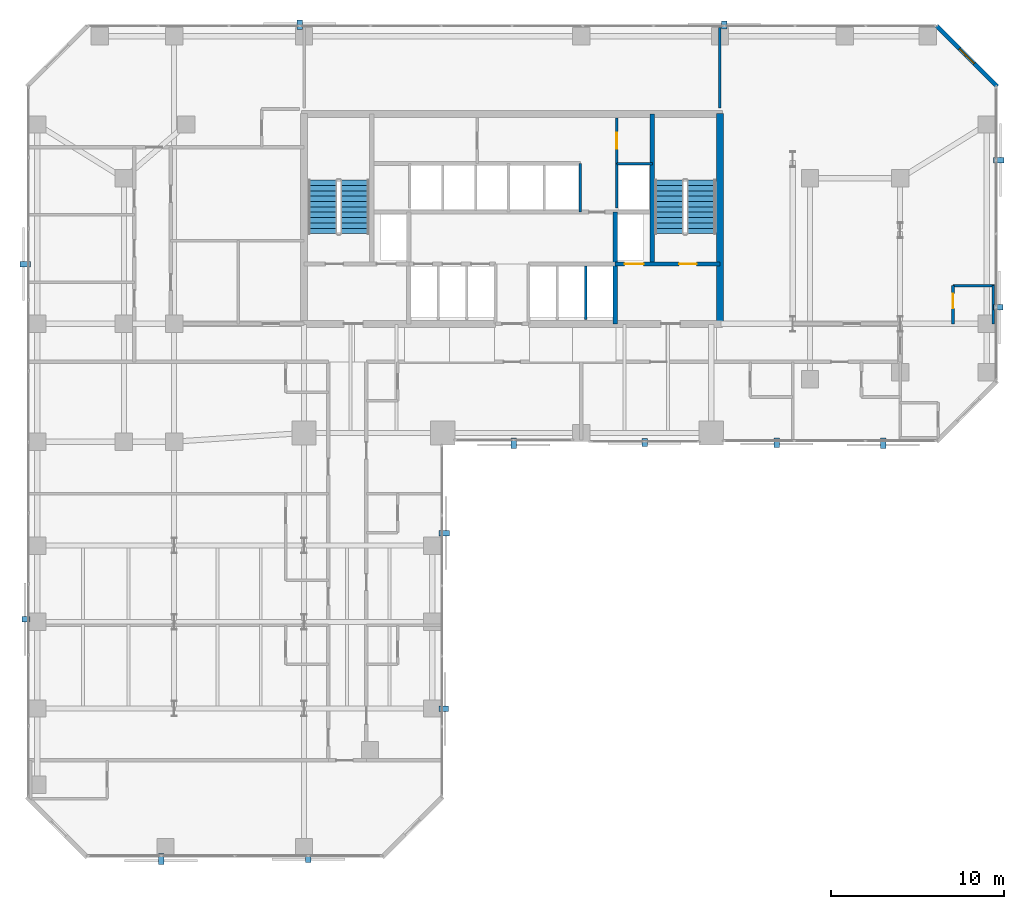
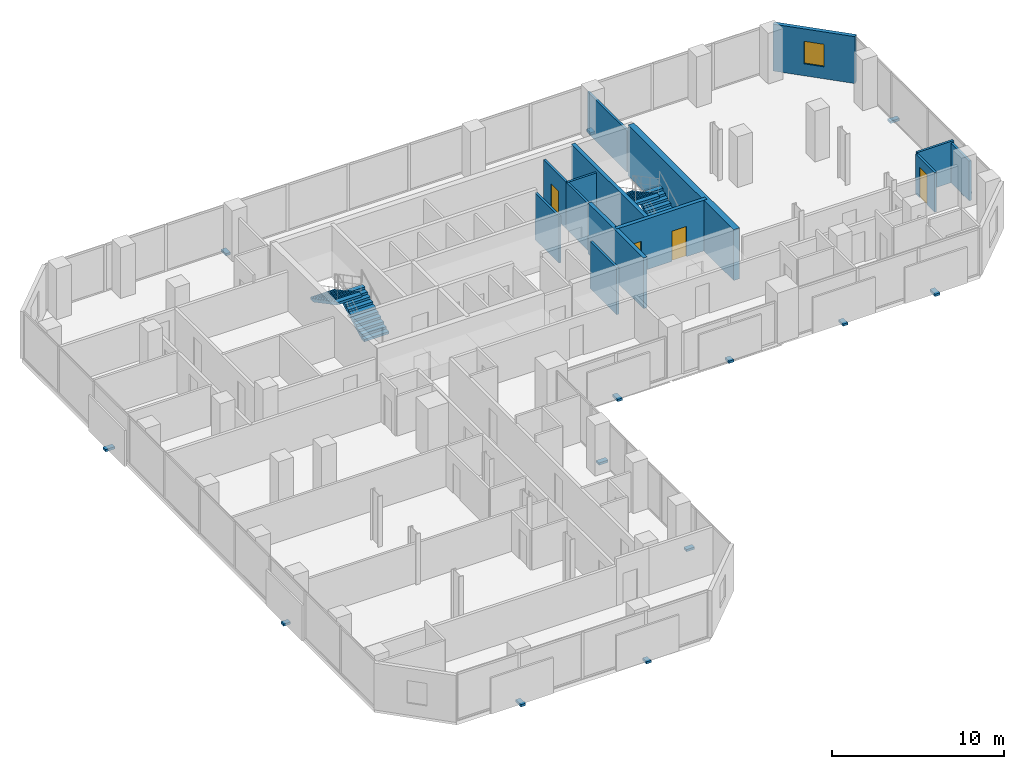
# One storey, part 29 of 31: 14 discrete accessories, 14 walls, 4 doors, 4 stair flights, 1 window, 5 openings, 2 elements without a shape of their own.
"""IFC4 building model written with IfcOpenShell, lengths in metres."""

from ifc_helpers import new_model, si_unit, direction, frame, frame_2d, origin, origin_2d, place, context, subcontext, project, spatial, polyline, rectangle, outline, extrude, material, layer, layer_set, type_object, element, fill, aggregate, save


model = new_model("IFC4")

# Units and contexts
model_context = context("Model", 3, precision=1e-05, world=origin(), true_north=direction((0.0, 1.0)))
body_context = subcontext(model_context, "Body", "Model", "MODEL_VIEW")
ifc_project = project(units=[si_unit("LENGTHUNIT", "METRE"), si_unit("AREAUNIT", "SQUARE_METRE"), si_unit("VOLUMEUNIT", "CUBIC_METRE"), si_unit("PLANEANGLEUNIT", "RADIAN"), si_unit("MASSUNIT", "GRAM", prefix="KILO")], contexts=[model_context])

# Site, building, storey
site_placement = place(None, origin())
site = spatial("IfcSite", under=ifc_project, at=site_placement, CompositionType="ELEMENT")
building_placement = place(site_placement, origin())
building = spatial("IfcBuilding", under=site, at=building_placement, Name="Catumbela Crestline Tower", CompositionType="ELEMENT")
storey_placement = place(building_placement, frame((0.0, 0.0, 40.2)))
storey = spatial("IfcBuildingStorey", under=building, at=storey_placement, Name="L09", CompositionType="ELEMENT", Elevation=40.2)

# Walls
ifc_material_1 = material(Name="Concrete C50/60", Category="concrete")
ifc_layer_1 = layer(ifc_material_1, 0.25, Name="Concrete C50/60")
ifc_layer_set_1 = layer_set([ifc_layer_1], Name="Concrete C50/60")
wall_type_1 = type_object("IfcWallType", Name="CW-250D", PredefinedType="SHEAR", material=ifc_layer_set_1)
wall_1_placement = place(storey_placement, frame((36.1, 34.25, 0.0), z_axis=(0.0, 0.0, 1.0), x_axis=(0.0, 1.0, 0.0)))
element("IfcWall", 1, at=wall_1_placement, inside=storey, type_object=wall_type_1, Name="L09 Structural Core Shear Wall EWEB", PredefinedType="SHEAR", context=body_context, shape_type="SweptSolid", body=[
    extrude(rectangle(XDim=8.65, YDim=0.25, at=frame_2d((4.325, 0.0))), origin(), (0.0, 0.0, 1.0), 3.6),
])
wall_2_placement = place(storey_placement, frame((33.95, 30.8, 0.0), z_axis=(0.0, 0.0, 1.0), x_axis=(0.0, 1.0, 0.0)))
element("IfcWall", 2, at=wall_2_placement, inside=storey, type_object=wall_type_1, Name="L09 Structural Core Shear Wall FFE", PredefinedType="SHEAR", context=body_context, shape_type="SweptSolid", body=[
    extrude(rectangle(XDim=6.45, YDim=0.25, at=frame_2d((3.225, 0.0))), origin(), (0.0, 0.0, 1.0), 3.6),
])

# Wall, openings, doors
wall_3_placement = place(storey_placement, frame((33.95, 34.25, 0.0), z_axis=(0.0, 0.0, 1.0), x_axis=(1.0, 0.0, 0.0)))
wall_3 = element("IfcWall", 3, at=wall_3_placement, inside=storey, type_object=wall_type_1, Name="L09 Structural Core Shear Wall ST2S", PredefinedType="SHEAR", context=body_context, shape_type="SweptSolid", body=[
    extrude(rectangle(XDim=6.05, YDim=0.25, at=frame_2d((3.025, 0.0))), origin(), (0.0, 0.0, 1.0), 3.6),
])
opening_1_placement = place(wall_3_placement, frame((3.7, 0.0, 0.0)))
opening_1 = element("IfcOpeningElement", 4, at=opening_1_placement, cuts=wall_3, Name="Opening DF9-100", PredefinedType="OPENING", context=body_context, shape_type="SweptSolid", body=[
    extrude(rectangle(XDim=1.0, YDim=2.15, at=frame_2d((0.5, 1.075))), frame((0.0, 0.135, 0.0), z_axis=(0.0, -1.0, 0.0), x_axis=(1.0, 0.0, 0.0)), (0.0, 0.0, 1.0), 0.27),
])
opening_2_placement = place(wall_3_placement, frame((0.55, 0.0, 0.0)))
opening_2 = element("IfcOpeningElement", 5, at=opening_2_placement, cuts=wall_3, Name="Opening LD-110", PredefinedType="OPENING", context=body_context, shape_type="SweptSolid", body=[
    extrude(rectangle(XDim=1.1, YDim=2.15, at=frame_2d((0.55, 1.075))), frame((0.0, 0.135, 0.0), z_axis=(0.0, -1.0, 0.0), x_axis=(1.0, 0.0, 0.0)), (0.0, 0.0, 1.0), 0.27),
])
ifc_material_2 = material(Name="Stainless steel EN 1.4401", Category="steel")
door_type_1 = type_object("IfcDoorType", Name="DF9-100", OperationType="NOTDEFINED", PredefinedType="DOOR", material=ifc_material_2)
door_1_placement = place(opening_1_placement, origin())
door_1 = element("IfcDoor", 6, at=door_1_placement, inside=storey, type_object=door_type_1, Name="L09 Interior Door DR-L09-ST02", OperationType="SINGLE_SWING_RIGHT", OverallHeight=2.15, OverallWidth=1.0, PredefinedType="DOOR", context=body_context, shape_type="SweptSolid", body=[
    extrude(rectangle(XDim=1.0, YDim=2.15, at=frame_2d((0.5, 1.075))), frame((0.0, 0.025, 0.0), z_axis=(0.0, -1.0, 0.0), x_axis=(1.0, 0.0, 0.0)), (0.0, 0.0, 1.0), 0.05),
])
fill(opening_1, door_1)
door_type_2 = type_object("IfcDoorType", Name="LD-110", OperationType="NOTDEFINED", PredefinedType="DOOR", material=ifc_material_2)
door_2_placement = place(opening_2_placement, origin())
door_2 = element("IfcDoor", 7, at=door_2_placement, inside=storey, type_object=door_type_2, Name="L09 Lift Landing Sliding Door FL-02", OperationType="DOUBLE_DOOR_SLIDING", OverallHeight=2.15, OverallWidth=1.1, PredefinedType="DOOR", context=body_context, shape_type="SweptSolid", body=[
    extrude(rectangle(XDim=1.1, YDim=2.15, at=frame_2d((0.55, 1.075))), frame((0.0, 0.025, 0.0), z_axis=(0.0, -1.0, 0.0), x_axis=(1.0, 0.0, 0.0)), (0.0, 0.0, 1.0), 0.05),
])
fill(opening_2, door_2)

# Wall
ifc_material_3 = material(Name="Concrete C60/75", Category="concrete")
ifc_layer_2 = layer(ifc_material_3, 0.4, Name="Concrete C60/75")
ifc_layer_set_2 = layer_set([ifc_layer_2], Name="Concrete C60/75")
wall_type_2 = type_object("IfcWallType", Name="CW-400A", PredefinedType="SHEAR", material=ifc_layer_set_2)
wall_4_placement = place(storey_placement, frame((40.0, 30.65, 0.0), z_axis=(0.0, 0.0, 1.0), x_axis=(0.0, 1.0, 0.0)))
element("IfcWall", 8, at=wall_4_placement, inside=storey, type_object=wall_type_2, Name="L09 Structural Core Shear Wall E", PredefinedType="SHEAR", context=body_context, shape_type="SweptSolid", body=[
    extrude(rectangle(XDim=12.3, YDim=0.4, at=frame_2d((6.15, 0.0))), origin(), (0.0, 0.0, 1.0), 3.6),
])

# Wall, opening, window
ifc_material_4 = material(Name="Angolan grey-ochre granite", Category="masonry")
ifc_layer_3 = layer(ifc_material_4, 0.25, Name="Angolan grey-ochre granite")
ifc_layer_set_3 = layer_set([ifc_layer_3], Name="Angolan grey-ochre granite")
wall_type_3 = type_object("IfcWallType", Name="WE-250", PredefinedType="STANDARD", material=ifc_layer_set_3)
wall_5_placement = place(storey_placement, frame((56.0, 44.5, 0.0), z_axis=(0.0, 0.0, 1.0), x_axis=(-0.707106781187, 0.707106781187, 0.0)))
wall_5 = element("IfcWall", 9, at=wall_5_placement, inside=storey, type_object=wall_type_3, Name="L09 Granite Punched Window Wall 6-1", PredefinedType="STANDARD", context=body_context, shape_type="SweptSolid", body=[
    extrude(rectangle(XDim=4.9497, YDim=0.25, at=frame_2d((2.4748, 0.0))), origin(), (0.0, 0.0, 1.0), 3.33),
])
opening_3_placement = place(wall_5_placement, frame((1.8748, 0.0, 0.85)))
opening_3 = element("IfcOpeningElement", 10, at=opening_3_placement, cuts=wall_5, Name="Opening WN-02", PredefinedType="OPENING", context=body_context, shape_type="SweptSolid", body=[
    extrude(rectangle(XDim=1.2, YDim=1.6, at=frame_2d((0.6, 0.8))), frame((0.0, 0.135, 0.0), z_axis=(0.0, -1.0, 0.0), x_axis=(1.0, 0.0, 0.0)), (0.0, 0.0, 1.0), 0.27),
])
ifc_material_5 = material(Name="Low-E laminated solar-control double glazing", Category="glass")
window_type = type_object("IfcWindowType", Name="WO-1200", PartitioningType="SINGLE_PANEL", PredefinedType="WINDOW", material=ifc_material_5)
window_placement = place(opening_3_placement, origin())
window = element("IfcWindow", 11, at=window_placement, inside=storey, type_object=window_type, Name="L09 Facade Vision Window 70", OverallHeight=1.6, OverallWidth=1.2, PartitioningType="SINGLE_PANEL", PredefinedType="WINDOW", context=body_context, shape_type="SweptSolid", body=[
    extrude(rectangle(XDim=1.2, YDim=1.6, at=frame_2d((0.6, 0.8))), frame((0.0, 0.03, 0.0), z_axis=(0.0, -1.0, 0.0), x_axis=(1.0, 0.0, 0.0)), (0.0, 0.0, 1.0), 0.06),
])
fill(opening_3, window)

# Wall
ifc_material_6 = material(Name="Acoustic gypsum and mineral-wool partition")
ifc_layer_4 = layer(ifc_material_6, 0.15, Name="Acoustic gypsum and mineral-wool partition")
ifc_layer_set_4 = layer_set([ifc_layer_4], Name="Acoustic gypsum and mineral-wool partition")
wall_type_4 = type_object("IfcWallType", Name="WP-150", PredefinedType="PARTITIONING", material=ifc_layer_set_4)
wall_6_placement = place(storey_placement, frame((34.05, 40.05, 0.0), z_axis=(0.0, 0.0, 1.0), x_axis=(1.0, 0.0, 0.0)))
element("IfcWall", 12, at=wall_6_placement, inside=storey, type_object=wall_type_4, Name="L09 Interior Partition PW-L09-CR-ES", PredefinedType="PARTITIONING", context=body_context, shape_type="SweptSolid", body=[
    extrude(rectangle(XDim=2.05, YDim=0.15, at=frame_2d((1.025, 0.0))), origin(), (0.0, 0.0, 1.0), 3.33),
])

# Wall, opening, door
wall_7_placement = place(storey_placement, frame((34.05, 40.05, 0.0), z_axis=(0.0, 0.0, 1.0), x_axis=(0.0, 1.0, 0.0)))
wall_7 = element("IfcWall", 13, at=wall_7_placement, inside=storey, type_object=wall_type_4, Name="L09 Interior Partition PW-L09-CR-EW", PredefinedType="PARTITIONING", context=body_context, shape_type="SweptSolid", body=[
    extrude(rectangle(XDim=2.63, YDim=0.15, at=frame_2d((1.315, 0.0))), origin(), (0.0, 0.0, 1.0), 3.33),
])
opening_4_placement = place(wall_7_placement, frame((0.865, 0.0, 0.0)))
opening_4 = element("IfcOpeningElement", 14, at=opening_4_placement, cuts=wall_7, Name="Opening DF9-090", PredefinedType="OPENING", context=body_context, shape_type="SweptSolid", body=[
    extrude(rectangle(XDim=0.9, YDim=2.15, at=frame_2d((0.45, 1.075))), frame((0.0, 0.085, 0.0), z_axis=(0.0, -1.0, 0.0), x_axis=(1.0, 0.0, 0.0)), (0.0, 0.0, 1.0), 0.17),
])
door_type_3 = type_object("IfcDoorType", Name="DF9-090", OperationType="NOTDEFINED", PredefinedType="DOOR", material=ifc_material_2)
door_3_placement = place(opening_4_placement, origin())
door_3 = element("IfcDoor", 15, at=door_3_placement, inside=storey, type_object=door_type_3, Name="L09 Interior Door DR-L09-CREAST", OperationType="SINGLE_SWING_RIGHT", OverallHeight=2.15, OverallWidth=0.9, PredefinedType="DOOR", context=body_context, shape_type="SweptSolid", body=[
    extrude(rectangle(XDim=0.9, YDim=2.15, at=frame_2d((0.45, 1.075))), frame((0.0, 0.025, 0.0), z_axis=(0.0, -1.0, 0.0), x_axis=(1.0, 0.0, 0.0)), (0.0, 0.0, 1.0), 0.05),
])
fill(opening_4, door_3)

# Walls
wall_8_placement = place(storey_placement, frame((40.0, 43.27, 0.0), z_axis=(0.0, 0.0, 1.0), x_axis=(0.0, 1.0, 0.0)))
element("IfcWall", 16, at=wall_8_placement, inside=storey, type_object=wall_type_4, Name="L09 Interior Partition PW-L09-NCF-E", PredefinedType="PARTITIONING", context=body_context, shape_type="SweptSolid", body=[
    extrude(rectangle(XDim=4.63, YDim=0.15, at=frame_2d((2.315, 0.0))), origin(), (0.0, 0.0, 1.0), 2.93),
])
wall_9_placement = place(storey_placement, frame((53.45, 33.0, 0.0), z_axis=(0.0, 0.0, 1.0), x_axis=(1.0, 0.0, 0.0)))
element("IfcWall", 17, at=wall_9_placement, inside=storey, type_object=wall_type_4, Name="L09 Interior Partition PW-L09-NES-BHW", PredefinedType="PARTITIONING", context=body_context, shape_type="SweptSolid", body=[
    extrude(rectangle(XDim=2.45, YDim=0.15, at=frame_2d((1.225, 0.0))), origin(), (0.0, 0.0, 1.0), 2.93),
])

# Wall, opening, door
wall_10_placement = place(storey_placement, frame((53.45, 30.8, 0.0), z_axis=(0.0, 0.0, 1.0), x_axis=(0.0, 1.0, 0.0)))
wall_10 = element("IfcWall", 18, at=wall_10_placement, inside=storey, type_object=wall_type_4, Name="L09 Interior Partition PW-L09-NES-BWW", PredefinedType="PARTITIONING", context=body_context, shape_type="SweptSolid", body=[
    extrude(rectangle(XDim=2.2, YDim=0.15, at=frame_2d((1.1, 0.0))), origin(), (0.0, 0.0, 1.0), 2.82),
])
opening_5_placement = place(wall_10_placement, frame((0.8925, 0.0, 0.0)))
opening_5 = element("IfcOpeningElement", 19, at=opening_5_placement, cuts=wall_10, Name="Opening DI-085", PredefinedType="OPENING", context=body_context, shape_type="SweptSolid", body=[
    extrude(rectangle(XDim=0.85, YDim=2.15, at=frame_2d((0.425, 1.075))), frame((0.0, 0.085, 0.0), z_axis=(0.0, -1.0, 0.0), x_axis=(1.0, 0.0, 0.0)), (0.0, 0.0, 1.0), 0.17),
])
ifc_material_7 = material(Name="Aluminium alloy AW-6060-T66", Category="aluminium")
door_type_4 = type_object("IfcDoorType", Name="DI-085", OperationType="NOTDEFINED", PredefinedType="DOOR", material=ifc_material_7)
door_4_placement = place(opening_5_placement, origin())
door_4 = element("IfcDoor", 20, at=door_4_placement, inside=storey, type_object=door_type_4, Name="L09 Interior Door DR-L09-NES-BTH", OperationType="SINGLE_SWING_RIGHT", OverallHeight=2.15, OverallWidth=0.85, PredefinedType="DOOR", context=body_context, shape_type="SweptSolid", body=[
    extrude(rectangle(XDim=0.85, YDim=2.15, at=frame_2d((0.425, 1.075))), frame((0.0, 0.025, 0.0), z_axis=(0.0, -1.0, 0.0), x_axis=(1.0, 0.0, 0.0)), (0.0, 0.0, 1.0), 0.05),
])
fill(opening_5, door_4)

# Walls
wall_11_placement = place(storey_placement, frame((55.78, 33.0, 0.0), z_axis=(0.0, 0.0, 1.0), x_axis=(0.0, -1.0, 0.0)))
element("IfcWall", 21, at=wall_11_placement, inside=storey, type_object=wall_type_4, Name="L09 Interior Partition PW-L09-NES-BCL-2", PredefinedType="PARTITIONING", context=body_context, shape_type="SweptSolid", body=[
    extrude(rectangle(XDim=2.2, YDim=0.15, at=frame_2d((1.1, 0.0))), origin(), (0.0, 0.0, 1.0), 2.82),
])
ifc_layer_5 = layer(ifc_material_6, 0.15, Name="Acoustic gypsum and mineral-wool partition")
ifc_layer_set_5 = layer_set([ifc_layer_5], Name="Acoustic gypsum and mineral-wool partition")
wall_type_5 = type_object("IfcWallType", Name="WS-150", PredefinedType="PLUMBINGWALL", material=ifc_layer_set_5)
wall_12_placement = place(storey_placement, frame((32.25, 31.05, 0.0), z_axis=(0.0, 0.0, 1.0), x_axis=(0.0, 1.0, 0.0)))
element("IfcWall", 22, at=wall_12_placement, inside=storey, type_object=wall_type_5, Name="L09 Interior Partition PW-L09-SHM2", PredefinedType="PLUMBINGWALL", context=body_context, shape_type="SweptSolid", body=[
    extrude(rectangle(XDim=3.1, YDim=0.15, at=frame_2d((1.55, 0.0))), origin(), (0.0, 0.0, 1.0), 3.33),
])
wall_13_placement = place(storey_placement, frame((31.95, 37.25, 0.0), z_axis=(0.0, 0.0, 1.0), x_axis=(0.0, 1.0, 0.0)))
element("IfcWall", 23, at=wall_13_placement, inside=storey, type_object=wall_type_5, Name="L09 Interior Partition PW-L09-SHEX2E", PredefinedType="PLUMBINGWALL", context=body_context, shape_type="SweptSolid", body=[
    extrude(rectangle(XDim=2.8, YDim=0.15, at=frame_2d((1.4, 0.0))), origin(), (0.0, 0.0, 1.0), 3.33),
])
wall_14_placement = place(storey_placement, frame((34.05, 37.4734, 0.0), z_axis=(0.0, 0.0, 1.0), x_axis=(0.0, 1.0, 0.0)))
element("IfcWall", 24, at=wall_14_placement, inside=storey, type_object=wall_type_5, Name="L09 Interior Partition PW-L09-RISW", PredefinedType="PLUMBINGWALL", context=body_context, shape_type="SweptSolid", body=[
    extrude(rectangle(XDim=2.5766, YDim=0.15, at=frame_2d((1.2883, 0.0))), origin(), (0.0, 0.0, 1.0), 3.33),
])

# Stair, stair flights
ifc_material_8 = material(Name="Concrete C45/55", Category="concrete")
stair_type = type_object("IfcStairType", Name="ST-DLG", PredefinedType="HALF_TURN_STAIR", material=ifc_material_8)
stair_1_placement = place(storey_placement, origin())
stair_1 = element("IfcStair", 25, at=stair_1_placement, inside=storey, type_object=stair_type, Name="L09 West Core Pressurised Exit Stair ST-01", PredefinedType="HALF_TURN_STAIR")
stair_flight_type = type_object("IfcStairFlightType", Name="SF-1636", PredefinedType="STRAIGHT", material=ifc_material_8)
stair_flight_1_placement = place(storey_placement, frame((18.92, 36.0, 0.0), z_axis=(0.0, 0.0, 1.0), x_axis=(0.0, 1.0, 0.0)))
stair_flight_1 = element("IfcStairFlight", 26, at=stair_flight_1_placement, type_object=stair_flight_type, Name="ST-01 flight 1", NumberOfRisers=11, NumberOfTreads=10, PredefinedType="STRAIGHT", RiserHeight=0.163636364, TreadLength=0.31, context=body_context, shape_type="SweptSolid", body=[
    extrude(outline(polyline([(0.0, 0.0), (0.0, 0.1636), (0.31, 0.1636), (0.31, 0.3273), (0.62, 0.3273), (0.62, 0.4909), (0.93, 0.4909), (0.93, 0.6545), (1.24, 0.6545), (1.24, 0.8182), (1.55, 0.8182), (1.55, 0.9818), (1.86, 0.9818), (1.86, 1.1455), (2.17, 1.1455), (2.17, 1.3091), (2.48, 1.3091), (2.48, 1.4727), (2.79, 1.4727), (2.79, 1.6364), (3.1, 1.6364), (3.1, 1.8), (3.1, 1.4554), (0.3427, 0.0), (0.0, 0.0)])), frame((0.0, 0.83, 0.0), z_axis=(0.0, -1.0, 0.0), x_axis=(1.0, 0.0, 0.0)), (0.0, 0.0, 1.0), 1.66),
])
stair_flight_2_placement = place(storey_placement, frame((17.08, 39.1, 1.8), z_axis=(0.0, 0.0, 1.0), x_axis=(0.0, -1.0, 0.0)))
stair_flight_2 = element("IfcStairFlight", 27, at=stair_flight_2_placement, type_object=stair_flight_type, Name="ST-01 flight 2", NumberOfRisers=11, NumberOfTreads=10, PredefinedType="STRAIGHT", RiserHeight=0.163636364, TreadLength=0.31, context=body_context, shape_type="SweptSolid", body=[
    extrude(outline(polyline([(0.0, 0.0), (0.0, 0.1636), (0.31, 0.1636), (0.31, 0.3273), (0.62, 0.3273), (0.62, 0.4909), (0.93, 0.4909), (0.93, 0.6545), (1.24, 0.6545), (1.24, 0.8182), (1.55, 0.8182), (1.55, 0.9818), (1.86, 0.9818), (1.86, 1.1455), (2.17, 1.1455), (2.17, 1.3091), (2.48, 1.3091), (2.48, 1.4727), (2.79, 1.4727), (2.79, 1.6364), (3.1, 1.6364), (3.1, 1.8), (3.1, 1.4554), (0.3427, 0.0), (0.0, 0.0)])), frame((0.0, 0.83, 0.0), z_axis=(0.0, -1.0, 0.0), x_axis=(1.0, 0.0, 0.0)), (0.0, 0.0, 1.0), 1.66),
])
aggregate(stair_1, [stair_flight_1, stair_flight_2])

stair_2_placement = place(storey_placement, origin())
stair_2 = element("IfcStair", 28, at=stair_2_placement, inside=storey, type_object=stair_type, Name="L09 East Core Pressurised Exit Stair ST-02", PredefinedType="HALF_TURN_STAIR")
stair_flight_3_placement = place(storey_placement, frame((38.92, 36.0, 0.0), z_axis=(0.0, 0.0, 1.0), x_axis=(0.0, 1.0, 0.0)))
stair_flight_3 = element("IfcStairFlight", 29, at=stair_flight_3_placement, type_object=stair_flight_type, Name="ST-02 flight 1", NumberOfRisers=11, NumberOfTreads=10, PredefinedType="STRAIGHT", RiserHeight=0.163636364, TreadLength=0.31, context=body_context, shape_type="SweptSolid", body=[
    extrude(outline(polyline([(0.0, 0.0), (0.0, 0.1636), (0.31, 0.1636), (0.31, 0.3273), (0.62, 0.3273), (0.62, 0.4909), (0.93, 0.4909), (0.93, 0.6545), (1.24, 0.6545), (1.24, 0.8182), (1.55, 0.8182), (1.55, 0.9818), (1.86, 0.9818), (1.86, 1.1455), (2.17, 1.1455), (2.17, 1.3091), (2.48, 1.3091), (2.48, 1.4727), (2.79, 1.4727), (2.79, 1.6364), (3.1, 1.6364), (3.1, 1.8), (3.1, 1.4554), (0.3427, 0.0), (0.0, 0.0)])), frame((0.0, 0.83, 0.0), z_axis=(0.0, -1.0, 0.0), x_axis=(1.0, 0.0, 0.0)), (0.0, 0.0, 1.0), 1.66),
])
stair_flight_4_placement = place(storey_placement, frame((37.08, 39.1, 1.8), z_axis=(0.0, 0.0, 1.0), x_axis=(0.0, -1.0, 0.0)))
stair_flight_4 = element("IfcStairFlight", 30, at=stair_flight_4_placement, type_object=stair_flight_type, Name="ST-02 flight 2", NumberOfRisers=11, NumberOfTreads=10, PredefinedType="STRAIGHT", RiserHeight=0.163636364, TreadLength=0.31, context=body_context, shape_type="SweptSolid", body=[
    extrude(outline(polyline([(0.0, 0.0), (0.0, 0.1636), (0.31, 0.1636), (0.31, 0.3273), (0.62, 0.3273), (0.62, 0.4909), (0.93, 0.4909), (0.93, 0.6545), (1.24, 0.6545), (1.24, 0.8182), (1.55, 0.8182), (1.55, 0.9818), (1.86, 0.9818), (1.86, 1.1455), (2.17, 1.1455), (2.17, 1.3091), (2.48, 1.3091), (2.48, 1.4727), (2.79, 1.4727), (2.79, 1.6364), (3.1, 1.6364), (3.1, 1.8), (3.1, 1.4554), (0.3427, 0.0), (0.0, 0.0)])), frame((0.0, 0.83, 0.0), z_axis=(0.0, -1.0, 0.0), x_axis=(1.0, 0.0, 0.0)), (0.0, 0.0, 1.0), 1.66),
])
aggregate(stair_2, [stair_flight_3, stair_flight_4])

# Discrete accessories
discrete_accessory_type = type_object("IfcDiscreteAccessoryType", Name="BK-SS1", PredefinedType="BRACKET", material=ifc_material_2)
discrete_accessory_1_placement = place(storey_placement, frame((7.75, -0.085, -0.18), z_axis=(0.0, 0.0, 1.0), x_axis=(1.0, 0.0, 0.0)))
element("IfcDiscreteAccessory", 31, at=discrete_accessory_1_placement, inside=storey, type_object=discrete_accessory_type, Name="L09 Solar Screen Stainless Bracket 57", PredefinedType="BRACKET", context=body_context, shape_type="SweptSolid", body=[
    extrude(rectangle(XDim=0.32, YDim=0.62, at=origin_2d()), origin(), (0.0, 0.0, 1.0), 0.16),
])
discrete_accessory_2_placement = place(storey_placement, frame((16.25, -0.045, -0.18), z_axis=(0.0, 0.0, 1.0), x_axis=(1.0, 0.0, 0.0)))
element("IfcDiscreteAccessory", 32, at=discrete_accessory_2_placement, inside=storey, type_object=discrete_accessory_type, Name="L09 Solar Screen Stainless Bracket 58", PredefinedType="BRACKET", context=body_context, shape_type="SweptSolid", body=[
    extrude(rectangle(XDim=0.32, YDim=0.46, at=origin_2d()), origin(), (0.0, 0.0, 1.0), 0.16),
])
discrete_accessory_3_placement = place(storey_placement, frame((24.065, 8.575, -0.18), z_axis=(0.0, 0.0, 1.0), x_axis=(0.0, 1.0, 0.0)))
element("IfcDiscreteAccessory", 33, at=discrete_accessory_3_placement, inside=storey, type_object=discrete_accessory_type, Name="L09 Solar Screen Stainless Bracket 59", PredefinedType="BRACKET", context=body_context, shape_type="SweptSolid", body=[
    extrude(rectangle(XDim=0.32, YDim=0.54, at=origin_2d()), origin(), (0.0, 0.0, 1.0), 0.16),
])
for number, where, z_axis, x_axis, name in (
    (34, (24.085, 18.725, -0.18), (0.0, 0.0, 1.0), (0.0, 1.0, 0.0), "L09 Solar Screen Stainless Bracket 60"),
    (35, (28.1, 23.915, -0.18), (0.0, 0.0, 1.0), (1.0, 0.0, 0.0), "L09 Solar Screen Stainless Bracket 61"),
):
    element("IfcDiscreteAccessory", number, at=place(storey_placement, frame(where, z_axis=z_axis, x_axis=x_axis)), inside=storey, type_object=discrete_accessory_type, Name=name, PredefinedType="BRACKET", context=body_context, shape_type="SweptSolid", body=[
        extrude(rectangle(XDim=0.32, YDim=0.62, at=origin_2d()), origin(), (0.0, 0.0, 1.0), 0.16),
    ])
discrete_accessory_4_placement = place(storey_placement, frame((35.65, 23.955, -0.18), z_axis=(0.0, 0.0, 1.0), x_axis=(1.0, 0.0, 0.0)))
element("IfcDiscreteAccessory", 36, at=discrete_accessory_4_placement, inside=storey, type_object=discrete_accessory_type, Name="L09 Solar Screen Stainless Bracket 62", PredefinedType="BRACKET", context=body_context, shape_type="SweptSolid", body=[
    extrude(rectangle(XDim=0.32, YDim=0.46, at=origin_2d()), origin(), (0.0, 0.0, 1.0), 0.16),
])
discrete_accessory_5_placement = place(storey_placement, frame((43.275, 23.935, -0.18), z_axis=(0.0, 0.0, 1.0), x_axis=(1.0, 0.0, 0.0)))
element("IfcDiscreteAccessory", 37, at=discrete_accessory_5_placement, inside=storey, type_object=discrete_accessory_type, Name="L09 Solar Screen Stainless Bracket 63", PredefinedType="BRACKET", context=body_context, shape_type="SweptSolid", body=[
    extrude(rectangle(XDim=0.32, YDim=0.54, at=origin_2d()), origin(), (0.0, 0.0, 1.0), 0.16),
])
discrete_accessory_6_placement = place(storey_placement, frame((49.425, 23.915, -0.18), z_axis=(0.0, 0.0, 1.0), x_axis=(1.0, 0.0, 0.0)))
element("IfcDiscreteAccessory", 38, at=discrete_accessory_6_placement, inside=storey, type_object=discrete_accessory_type, Name="L09 Solar Screen Stainless Bracket 64", PredefinedType="BRACKET", context=body_context, shape_type="SweptSolid", body=[
    extrude(rectangle(XDim=0.32, YDim=0.62, at=origin_2d()), origin(), (0.0, 0.0, 1.0), 0.16),
])
discrete_accessory_7_placement = place(storey_placement, frame((56.065, 31.75, -0.18), z_axis=(0.0, 0.0, 1.0), x_axis=(0.0, 1.0, 0.0)))
element("IfcDiscreteAccessory", 39, at=discrete_accessory_7_placement, inside=storey, type_object=discrete_accessory_type, Name="L09 Solar Screen Stainless Bracket 65", PredefinedType="BRACKET", context=body_context, shape_type="SweptSolid", body=[
    extrude(rectangle(XDim=0.32, YDim=0.54, at=origin_2d()), origin(), (0.0, 0.0, 1.0), 0.16),
])
discrete_accessory_8_placement = place(storey_placement, frame((56.085, 40.25, -0.18), z_axis=(0.0, 0.0, 1.0), x_axis=(0.0, 1.0, 0.0)))
element("IfcDiscreteAccessory", 40, at=discrete_accessory_8_placement, inside=storey, type_object=discrete_accessory_type, Name="L09 Solar Screen Stainless Bracket 66", PredefinedType="BRACKET", context=body_context, shape_type="SweptSolid", body=[
    extrude(rectangle(XDim=0.32, YDim=0.62, at=origin_2d()), origin(), (0.0, 0.0, 1.0), 0.16),
])
discrete_accessory_9_placement = place(storey_placement, frame((40.25, 48.045, -0.18), z_axis=(0.0, 0.0, 1.0), x_axis=(-1.0, 0.0, 0.0)))
element("IfcDiscreteAccessory", 41, at=discrete_accessory_9_placement, inside=storey, type_object=discrete_accessory_type, Name="L09 Solar Screen Stainless Bracket 67", PredefinedType="BRACKET", context=body_context, shape_type="SweptSolid", body=[
    extrude(rectangle(XDim=0.32, YDim=0.46, at=origin_2d()), origin(), (0.0, 0.0, 1.0), 0.16),
])
discrete_accessory_10_placement = place(storey_placement, frame((15.75, 48.065, -0.18), z_axis=(0.0, 0.0, 1.0), x_axis=(-1.0, 0.0, 0.0)))
element("IfcDiscreteAccessory", 42, at=discrete_accessory_10_placement, inside=storey, type_object=discrete_accessory_type, Name="L09 Solar Screen Stainless Bracket 68", PredefinedType="BRACKET", context=body_context, shape_type="SweptSolid", body=[
    extrude(rectangle(XDim=0.32, YDim=0.54, at=origin_2d()), origin(), (0.0, 0.0, 1.0), 0.16),
])
discrete_accessory_11_placement = place(storey_placement, frame((-0.085, 34.25, -0.18), z_axis=(0.0, 0.0, 1.0), x_axis=(0.0, -1.0, 0.0)))
element("IfcDiscreteAccessory", 43, at=discrete_accessory_11_placement, inside=storey, type_object=discrete_accessory_type, Name="L09 Solar Screen Stainless Bracket 69", PredefinedType="BRACKET", context=body_context, shape_type="SweptSolid", body=[
    extrude(rectangle(XDim=0.32, YDim=0.62, at=origin_2d()), origin(), (0.0, 0.0, 1.0), 0.16),
])
discrete_accessory_12_placement = place(storey_placement, frame((-0.045, 13.75, -0.18), z_axis=(0.0, 0.0, 1.0), x_axis=(0.0, -1.0, 0.0)))
element("IfcDiscreteAccessory", 44, at=discrete_accessory_12_placement, inside=storey, type_object=discrete_accessory_type, Name="L09 Solar Screen Stainless Bracket 70", PredefinedType="BRACKET", context=body_context, shape_type="SweptSolid", body=[
    extrude(rectangle(XDim=0.32, YDim=0.46, at=origin_2d()), origin(), (0.0, 0.0, 1.0), 0.16),
])

save(model, "model.ifc")
